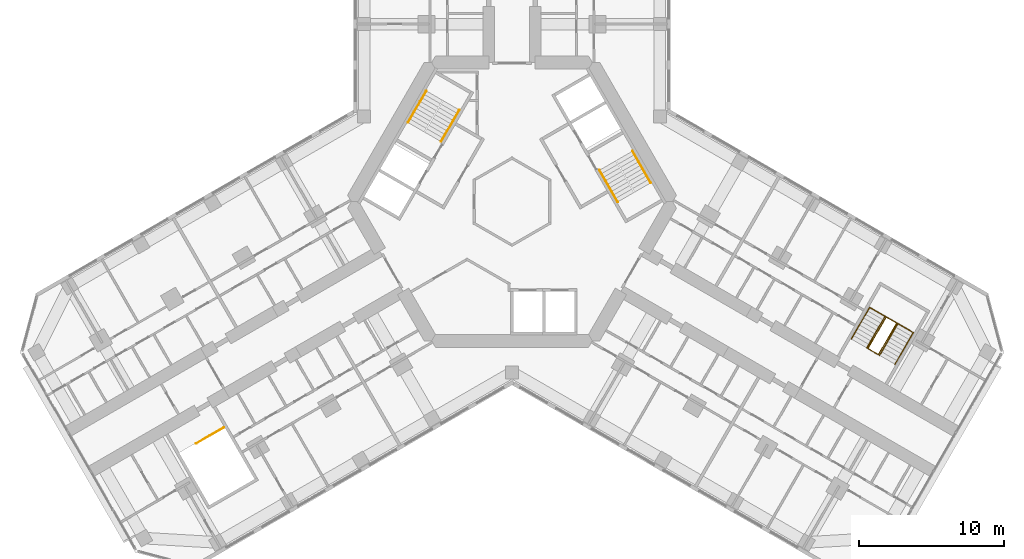
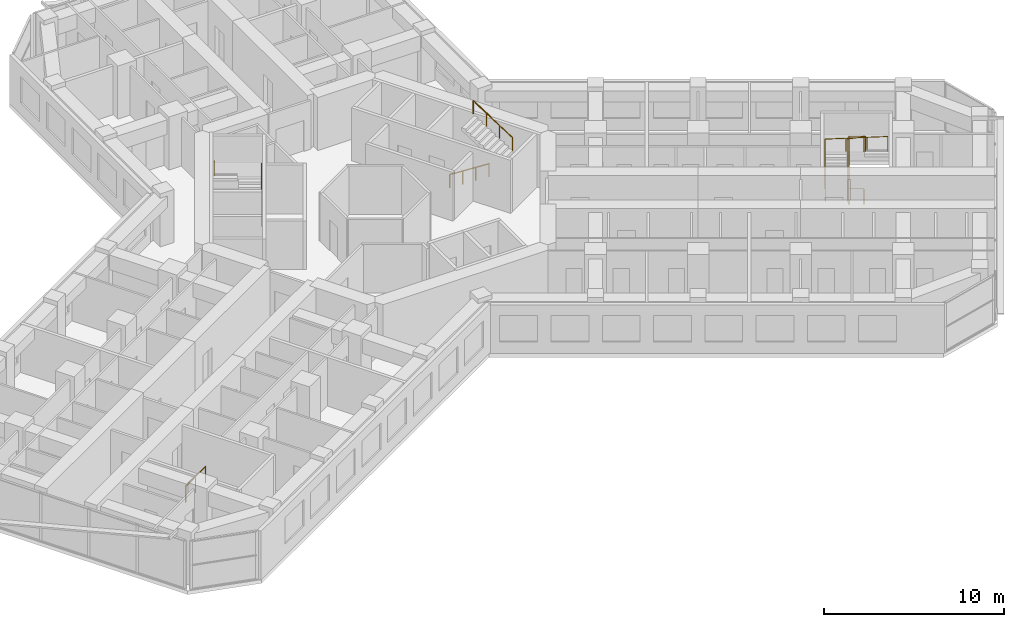
# One storey, part 20 of 20: 8 railings.
"""IFC4 building model written with IfcOpenShell, lengths in metres."""

from ifc_helpers import new_model, si_unit, direction, frame, origin, origin_2d, place, context, subcontext, project, spatial, circle, extrude, material, type_object, element, save


model = new_model("IFC4")

# Units and contexts
model_context = context("Model", 3, precision=1e-05, world=origin(), true_north=direction((0.0, 1.0)))
body_context = subcontext(model_context, "Body", "Model", "MODEL_VIEW")
ifc_project = project(units=[si_unit("LENGTHUNIT", "METRE"), si_unit("AREAUNIT", "SQUARE_METRE"), si_unit("VOLUMEUNIT", "CUBIC_METRE"), si_unit("PLANEANGLEUNIT", "RADIAN"), si_unit("MASSUNIT", "GRAM", prefix="KILO")], contexts=[model_context])

# Site, building, storey
site_placement = place(None, origin())
site = spatial("IfcSite", under=ifc_project, at=site_placement, CompositionType="ELEMENT")
building_placement = place(site_placement, origin())
building = spatial("IfcBuilding", under=site, at=building_placement, Name="Kosmar Iwan School Tower", CompositionType="ELEMENT")
storey_placement = place(building_placement, frame((0.0, 0.0, 183.199951171875)))
storey = spatial("IfcBuildingStorey", under=building, at=storey_placement, Name="L46", CompositionType="ELEMENT", Elevation=183.199951171875)

# Railings
ifc_material_1 = material(Name="Black steel", Category="steel")
railing_type_1 = type_object("IfcRailingType", Name="Stair handrail 900", PredefinedType="HANDRAIL", material=ifc_material_1)
railing_1_placement = place(storey_placement, frame((-4.89453125, 4.142333984375, 0.179931640625)))
element("IfcRailing", 1, at=railing_1_placement, inside=storey, type_object=railing_type_1, Name="Handrail ST2 flight 1", PredefinedType="HANDRAIL", context=body_context, shape_type="SweptSolid", body=[
    extrude(circle(Radius=0.02392578125, at=origin_2d()), frame((0.0, 0.0, 0.8759765625), z_axis=(0.420584145978, 0.728463801763, 0.540785970299), x_axis=(-0.866022637375, 0.500004791531, 0.0)), (0.0, 0.0, 1.0), 2.995849609375),
    extrude(circle(Radius=0.02099609375, at=origin_2d()), origin(), (0.0, 0.0, 1.0), 0.851806640625),
    extrude(circle(Radius=0.02099609375, at=origin_2d()), frame((0.419921875, 0.7275390625, 0.5400390625)), (0.0, 0.0, 1.0), 0.851806640625),
    extrude(circle(Radius=0.02099609375, at=origin_2d()), frame((0.840087890625, 1.454833984375, 1.080078125)), (0.0, 0.0, 1.0), 0.851806640625),
    extrude(circle(Radius=0.02099609375, at=origin_2d()), frame((1.260009765625, 2.182373046875, 1.6201171875)), (0.0, 0.0, 1.0), 0.851806640625),
])
railing_2_placement = place(storey_placement, frame((-5.912353515625, 7.6396484375, 1.97998046875)))
element("IfcRailing", 2, at=railing_2_placement, inside=storey, type_object=railing_type_1, Name="Handrail ST2 flight 2", PredefinedType="HANDRAIL", context=body_context, shape_type="SweptSolid", body=[
    extrude(circle(Radius=0.02392578125, at=origin_2d()), frame((0.0, 0.0, 0.8759765625), z_axis=(-0.420584145978, -0.728463801763, 0.540785970299), x_axis=(0.866022637375, -0.500004791531, 0.0)), (0.0, 0.0, 1.0), 2.995849609375),
    extrude(circle(Radius=0.02099609375, at=origin_2d()), origin(), (0.0, 0.0, 1.0), 0.851806640625),
    extrude(circle(Radius=0.02099609375, at=origin_2d()), frame((-0.419921875, -0.7275390625, 0.5400390625)), (0.0, 0.0, 1.0), 0.851806640625),
    extrude(circle(Radius=0.02099609375, at=origin_2d()), frame((-0.840087890625, -1.454833984375, 1.080078125)), (0.0, 0.0, 1.0), 0.851806640625),
    extrude(circle(Radius=0.02099609375, at=origin_2d()), frame((-1.260009765625, -2.182373046875, 1.6201171875)), (0.0, 0.0, 1.0), 0.851806640625),
])
railing_3_placement = place(storey_placement, frame((6.03466796875, 2.167724609375, 0.179931640625)))
element("IfcRailing", 3, at=railing_3_placement, inside=storey, type_object=railing_type_1, Name="Handrail ST1 flight 1", PredefinedType="HANDRAIL", context=body_context, shape_type="SweptSolid", body=[
    extrude(circle(Radius=0.02392578125, at=origin_2d()), frame((0.0, 0.0, 0.8759765625), z_axis=(0.420584145978, -0.728463801763, 0.540785970299), x_axis=(0.866022637375, 0.500004791531, 0.0)), (0.0, 0.0, 1.0), 2.995849609375),
    extrude(circle(Radius=0.02099609375, at=origin_2d()), origin(), (0.0, 0.0, 1.0), 0.851806640625),
    extrude(circle(Radius=0.02099609375, at=origin_2d()), frame((0.419921875, -0.7275390625, 0.5400390625)), (0.0, 0.0, 1.0), 0.851806640625),
    extrude(circle(Radius=0.02099609375, at=origin_2d()), frame((0.840087890625, -1.454833984375, 1.080078125)), (0.0, 0.0, 1.0), 0.851806640625),
    extrude(circle(Radius=0.02099609375, at=origin_2d()), frame((1.260009765625, -2.182373046875, 1.6201171875)), (0.0, 0.0, 1.0), 0.851806640625),
])
railing_4_placement = place(storey_placement, frame((9.572265625, 1.30029296875, 1.97998046875)))
element("IfcRailing", 4, at=railing_4_placement, inside=storey, type_object=railing_type_1, Name="Handrail ST1 flight 2", PredefinedType="HANDRAIL", context=body_context, shape_type="SweptSolid", body=[
    extrude(circle(Radius=0.02392578125, at=origin_2d()), frame((0.0, 0.0, 0.8759765625), z_axis=(-0.420584145978, 0.728463801763, 0.540785970299), x_axis=(-0.866022637375, -0.500004791531, 0.0)), (0.0, 0.0, 1.0), 2.995849609375),
    extrude(circle(Radius=0.02099609375, at=origin_2d()), origin(), (0.0, 0.0, 1.0), 0.851806640625),
    extrude(circle(Radius=0.02099609375, at=origin_2d()), frame((-0.419921875, 0.7275390625, 0.5400390625)), (0.0, 0.0, 1.0), 0.851806640625),
    extrude(circle(Radius=0.02099609375, at=origin_2d()), frame((-0.840087890625, 1.454833984375, 1.080078125)), (0.0, 0.0, 1.0), 0.851806640625),
    extrude(circle(Radius=0.02099609375, at=origin_2d()), frame((-1.260009765625, 2.182373046875, 1.6201171875)), (0.0, 0.0, 1.0), 0.851806640625),
])
railing_5_placement = place(storey_placement, frame((23.4091796875, -9.473876953125, 0.179931640625)))
element("IfcRailing", 5, at=railing_5_placement, inside=storey, type_object=railing_type_1, Name="Handrail stair WS3 L46 wall side", PredefinedType="HANDRAIL", context=body_context, shape_type="SweptSolid", body=[
    extrude(circle(Radius=0.02392578125, at=origin_2d()), frame((0.0, 0.0, 0.8759765625), z_axis=(0.420584145978, 0.728463801763, 0.540785970299), x_axis=(-0.866022637375, 0.500004791531, 0.0)), (0.0, 0.0, 1.0), 2.995849609375),
    extrude(circle(Radius=0.02392578125, at=origin_2d()), frame((1.260009765625, 2.182373046875, 2.49609375), z_axis=(0.864882007433, -0.499312601618, 0.051633701051), x_axis=(0.499979528911, 0.866037222451, 0.0)), (0.0, 0.0, 1.0), 3.48486328125),
    extrude(circle(Radius=0.02392578125, at=origin_2d()), frame((4.27392578125, 0.4423828125, 2.67578125), z_axis=(-0.420584145978, -0.728463801763, 0.540785970299), x_axis=(0.866022637375, -0.500004791531, 0.0)), (0.0, 0.0, 1.0), 2.995849609375),
    extrude(circle(Radius=0.02099609375, at=origin_2d()), origin(), (0.0, 0.0, 1.0), 0.851806640625),
    extrude(circle(Radius=0.02099609375, at=origin_2d()), frame((0.419921875, 0.7275390625, 0.5400390625)), (0.0, 0.0, 1.0), 0.851806640625),
    extrude(circle(Radius=0.02099609375, at=origin_2d()), frame((0.840087890625, 1.454833984375, 1.080078125)), (0.0, 0.0, 1.0), 0.851806640625),
    extrude(circle(Radius=0.02099609375, at=origin_2d()), frame((1.260009765625, 2.182373046875, 1.6201171875)), (0.0, 0.0, 1.0), 0.851806640625),
    extrude(circle(Radius=0.02099609375, at=origin_2d()), frame((2.2646484375, 1.602294921875, 1.68017578125)), (0.0, 0.0, 1.0), 0.851806640625),
    extrude(circle(Radius=0.02099609375, at=origin_2d()), frame((3.269287109375, 1.0224609375, 1.739990234375)), (0.0, 0.0, 1.0), 0.851806640625),
    extrude(circle(Radius=0.02099609375, at=origin_2d()), frame((4.27392578125, 0.4423828125, 1.800048828125)), (0.0, 0.0, 1.0), 0.851806640625),
    extrude(circle(Radius=0.02099609375, at=origin_2d()), frame((3.85400390625, -0.28515625, 2.340087890625)), (0.0, 0.0, 1.0), 0.851806640625),
    extrude(circle(Radius=0.02099609375, at=origin_2d()), frame((3.433837890625, -1.012451171875, 2.880126953125)), (0.0, 0.0, 1.0), 0.851806640625),
    extrude(circle(Radius=0.02099609375, at=origin_2d()), frame((3.013916015625, -1.739990234375, 3.420166015625)), (0.0, 0.0, 1.0), 0.851806640625),
])
railing_6_placement = place(storey_placement, frame((24.474609375, -10.0888671875, 0.179931640625)))
element("IfcRailing", 6, at=railing_6_placement, inside=storey, type_object=railing_type_1, Name="Handrail stair WS3 L46 well side", PredefinedType="HANDRAIL", context=body_context, shape_type="SweptSolid", body=[
    extrude(circle(Radius=0.02392578125, at=origin_2d()), frame((0.0, 0.0, 0.8759765625), z_axis=(0.420584145978, 0.728463801763, 0.540785970299), x_axis=(-0.866022637375, 0.500004791531, 0.0)), (0.0, 0.0, 1.0), 2.995849609375),
    extrude(circle(Radius=0.02392578125, at=origin_2d()), frame((1.260009765625, 2.182373046875, 2.49609375), z_axis=(0.852841519511, -0.492422867401, 0.173726976197), x_axis=(0.500026340207, 0.866010195725, 0.0)), (0.0, 0.0, 1.0), 1.03564453125),
    extrude(circle(Radius=0.02392578125, at=origin_2d()), frame((2.143310546875, 1.67236328125, 2.67578125), z_axis=(-0.420584145978, -0.728463801763, 0.540785970299), x_axis=(0.866022637375, -0.500004791531, 0.0)), (0.0, 0.0, 1.0), 2.995849609375),
    extrude(circle(Radius=0.02099609375, at=origin_2d()), origin(), (0.0, 0.0, 1.0), 0.851806640625),
    extrude(circle(Radius=0.02099609375, at=origin_2d()), frame((0.419921875, 0.7275390625, 0.5400390625)), (0.0, 0.0, 1.0), 0.851806640625),
    extrude(circle(Radius=0.02099609375, at=origin_2d()), frame((0.840087890625, 1.454833984375, 1.080078125)), (0.0, 0.0, 1.0), 0.851806640625),
    extrude(circle(Radius=0.02099609375, at=origin_2d()), frame((1.260009765625, 2.182373046875, 1.6201171875)), (0.0, 0.0, 1.0), 0.851806640625),
    extrude(circle(Radius=0.02099609375, at=origin_2d()), frame((2.143310546875, 1.67236328125, 1.800048828125)), (0.0, 0.0, 1.0), 0.851806640625),
    extrude(circle(Radius=0.02099609375, at=origin_2d()), frame((1.723388671875, 0.94482421875, 2.340087890625)), (0.0, 0.0, 1.0), 0.851806640625),
    extrude(circle(Radius=0.02099609375, at=origin_2d()), frame((1.30322265625, 0.217529296875, 2.880126953125)), (0.0, 0.0, 1.0), 0.851806640625),
    extrude(circle(Radius=0.02099609375, at=origin_2d()), frame((0.88330078125, -0.510009765625, 3.420166015625)), (0.0, 0.0, 1.0), 0.851806640625),
])
ifc_material_2 = material(Name="Black steel", Category="steel")
railing_type_2 = type_object("IfcRailingType", Name="Stair well guard 1100", PredefinedType="GUARDRAIL", material=ifc_material_2)
railing_7_placement = place(storey_placement, frame((-19.875732421875, -15.574462890625, 0.0)))
element("IfcRailing", 7, at=railing_7_placement, inside=storey, type_object=railing_type_2, Name="Stair WS2 well guard", PredefinedType="GUARDRAIL", context=body_context, shape_type="SweptSolid", body=[
    extrude(circle(Radius=0.02392578125, at=origin_2d()), frame((0.0, 0.0, 1.076171875), z_axis=(-0.86605622881, -0.499946605688, 0.0), x_axis=(0.499946605688, -0.86605622881, 0.0)), (0.0, 0.0, 1.0), 2.199951171875),
    extrude(circle(Radius=0.02099609375, at=origin_2d()), origin(), (0.0, 0.0, 1.0), 1.052001953125),
    extrude(circle(Radius=0.02099609375, at=origin_2d()), frame((-0.95263671875, -0.5498046875, 0.0)), (0.0, 0.0, 1.0), 1.052001953125),
    extrude(circle(Radius=0.02099609375, at=origin_2d()), frame((-1.9052734375, -1.099853515625, 0.0)), (0.0, 0.0, 1.0), 1.052001953125),
])
railing_8_placement = place(storey_placement, frame((25.280029296875, -10.553955078125, 0.0)))
element("IfcRailing", 8, at=railing_8_placement, inside=storey, type_object=railing_type_2, Name="Stair WS3 L46 well guard", PredefinedType="GUARDRAIL", context=body_context, shape_type="SweptSolid", body=[
    extrude(circle(Radius=0.02392578125, at=origin_2d()), frame((0.0, 0.0, 1.076171875), z_axis=(-0.865962960534, 0.500108139288, 0.0), x_axis=(-0.500108139288, -0.865962960534, 0.0)), (0.0, 0.0, 1.0), 0.840087890625),
    extrude(circle(Radius=0.02392578125, at=origin_2d()), frame((-0.7275390625, 0.420166015625, 1.076171875), z_axis=(0.40686665399, 0.704704712268, 0.58124933925), x_axis=(-0.866022637375, 0.500004791531, 0.0)), (0.0, 0.0, 1.0), 3.096923828125),
    extrude(circle(Radius=0.02392578125, at=origin_2d()), frame((0.532470703125, 2.6025390625, 2.8759765625), z_axis=(0.865890253765, -0.500234013672, 0.0), x_axis=(0.500234013672, 0.865890253765, 0.0)), (0.0, 0.0, 1.0), 0.83984375),
    extrude(circle(Radius=0.02392578125, at=origin_2d()), frame((1.259765625, 2.182373046875, 2.8759765625), z_axis=(-0.406800866334, -0.70472731476, 0.58126798207), x_axis=(0.866064587494, -0.499932125682, 0.0)), (0.0, 0.0, 1.0), 3.0966796875),
    extrude(circle(Radius=0.02099609375, at=origin_2d()), origin(), (0.0, 0.0, 1.0), 1.052001953125),
    extrude(circle(Radius=0.02099609375, at=origin_2d()), frame((-0.7275390625, 0.420166015625, 0.0)), (0.0, 0.0, 1.0), 1.052001953125),
    extrude(circle(Radius=0.02099609375, at=origin_2d()), frame((-0.3076171875, 1.147705078125, 0.60009765625)), (0.0, 0.0, 1.0), 1.052001953125),
    extrude(circle(Radius=0.02099609375, at=origin_2d()), frame((0.112548828125, 1.875, 1.199951171875)), (0.0, 0.0, 1.0), 1.052001953125),
    extrude(circle(Radius=0.02099609375, at=origin_2d()), frame((0.532470703125, 2.6025390625, 1.800048828125)), (0.0, 0.0, 1.0), 1.052001953125),
    extrude(circle(Radius=0.02099609375, at=origin_2d()), frame((1.259765625, 2.182373046875, 1.800048828125)), (0.0, 0.0, 1.0), 1.052001953125),
    extrude(circle(Radius=0.02099609375, at=origin_2d()), frame((0.83984375, 1.454833984375, 2.400146484375)), (0.0, 0.0, 1.0), 1.052001953125),
    extrude(circle(Radius=0.02099609375, at=origin_2d()), frame((0.419921875, 0.7275390625, 3.0)), (0.0, 0.0, 1.0), 1.052001953125),
    extrude(circle(Radius=0.02099609375, at=origin_2d()), frame((0.0, 0.0, 3.60009765625)), (0.0, 0.0, 1.0), 1.052001953125),
])

save(model, "model.ifc")
